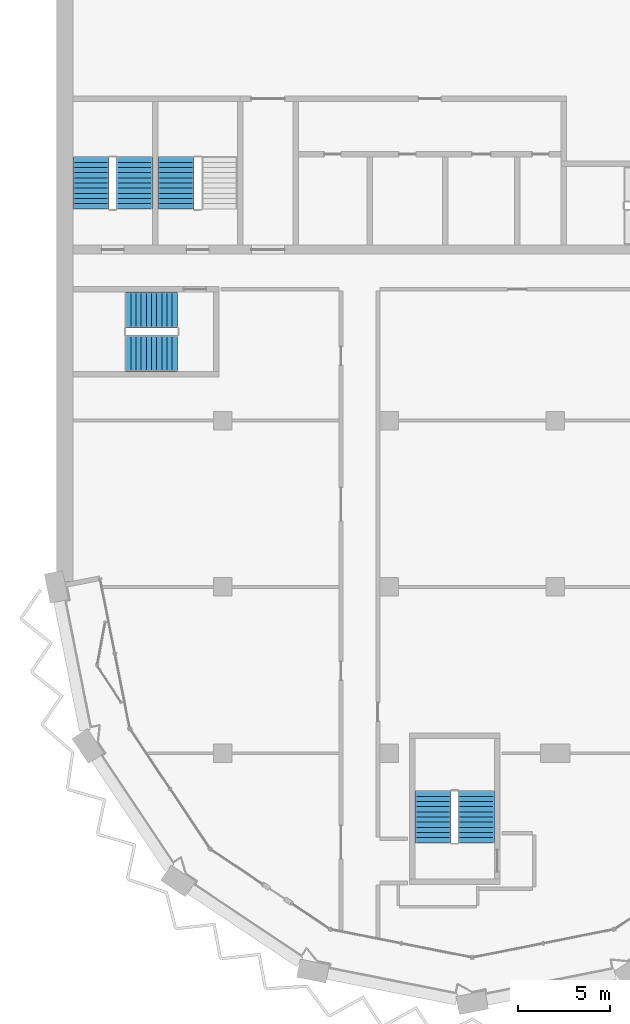
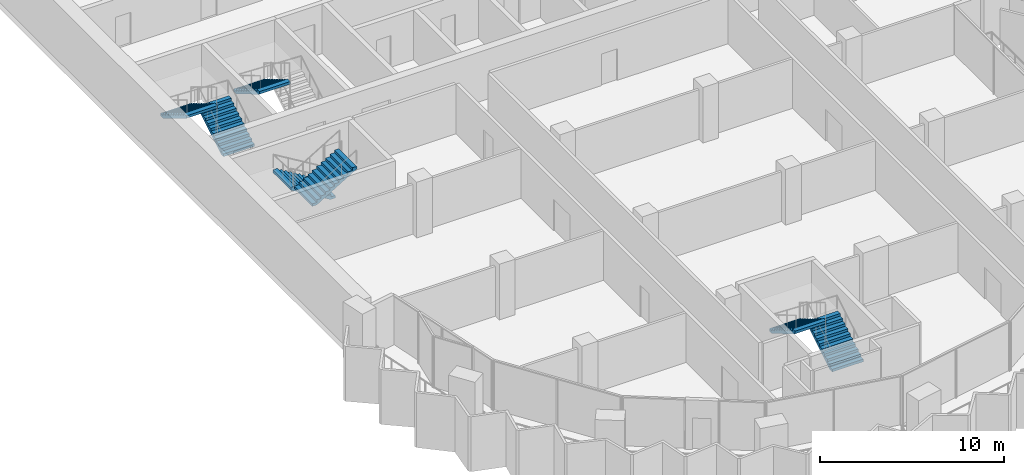
# One storey, part 12 of 17: 7 stair flights, 4 elements without a shape of their own.
"""IFC4 building model written with IfcOpenShell, lengths in metres."""

from ifc_helpers import new_model, si_unit, direction, frame, origin, place, context, subcontext, project, spatial, polyline, outline, extrude, material, type_object, element, aggregate, save


model = new_model("IFC4")

# Units and contexts
model_context = context("Model", 3, precision=1e-05, world=origin(), true_north=direction((0.0, 1.0)))
body_context = subcontext(model_context, "Body", "Model", "MODEL_VIEW")
ifc_project = project(units=[si_unit("LENGTHUNIT", "METRE"), si_unit("AREAUNIT", "SQUARE_METRE"), si_unit("VOLUMEUNIT", "CUBIC_METRE"), si_unit("PLANEANGLEUNIT", "RADIAN"), si_unit("MASSUNIT", "GRAM", prefix="KILO")], contexts=[model_context])

# Site, building, storey
site_placement = place(None, origin())
site = spatial("IfcSite", under=ifc_project, at=site_placement, CompositionType="ELEMENT")
building_placement = place(site_placement, origin())
building = spatial("IfcBuilding", under=site, at=building_placement, Name="Hunhe Ridgeline Campus", CompositionType="ELEMENT")
storey_placement = place(building_placement, frame((0.0, 0.0, 268.800048828125)))
storey = spatial("IfcBuildingStorey", under=building, at=storey_placement, Name="L69", CompositionType="ELEMENT", Elevation=268.800048828125)

# Stair, stair flights
ifc_material = material(Name="Concrete C40", Category="concrete")
stair_type = type_object("IfcStairType", Name="Reinforced concrete dog-leg stair 1950 Concrete C40", PredefinedType="HALF_TURN_STAIR", material=ifc_material)
stair_1_placement = place(storey_placement, origin())
stair_1 = element("IfcStair", 1, at=stair_1_placement, inside=storey, type_object=stair_type, Name="L69 S3", PredefinedType="HALF_TURN_STAIR")
stair_flight_type = type_object("IfcStairFlightType", Name="Reinforced concrete stair flight 1950 Concrete C40", PredefinedType="STRAIGHT", material=ifc_material)
stair_flight_1_placement = place(storey_placement, frame((4.22509765625, 65.449951171875, 0.0), z_axis=(0.0, 0.0, 1.0), x_axis=(0.0, 1.0, 0.0)))
stair_flight_1 = element("IfcStairFlight", 2, at=stair_flight_1_placement, type_object=stair_flight_type, Name="ST3 flight 1", NumberOfRisers=11, NumberOfTreads=10, PredefinedType="STRAIGHT", RiserHeight=0.168181818, TreadLength=0.28, context=body_context, shape_type="SweptSolid", body=[
    extrude(outline(polyline([(0.0, 0.0), (0.0, 0.168212890625), (0.280029296875, 0.168212890625), (0.280029296875, 0.33642578125), (0.56005859375, 0.33642578125), (0.56005859375, 0.504638671875), (0.840087890625, 0.504638671875), (0.840087890625, 0.672607421875), (1.1201171875, 0.672607421875), (1.1201171875, 0.8408203125), (1.39990234375, 0.8408203125), (1.39990234375, 1.009033203125), (1.679931640625, 1.009033203125), (1.679931640625, 1.17724609375), (1.9599609375, 1.17724609375), (1.9599609375, 1.345458984375), (2.239990234375, 1.345458984375), (2.239990234375, 1.513671875), (2.52001953125, 1.513671875), (2.52001953125, 1.681884765625), (2.800048828125, 1.681884765625), (2.800048828125, 1.85009765625), (2.800048828125, 1.5068359375), (0.291015625, 0.0), (0.0, 0.0)])), frame((0.0, 0.97509765625, 0.0), z_axis=(0.0, -1.0, 0.0), x_axis=(1.0, 0.0, 0.0)), (0.0, 0.0, 1.0), 1.949951171875),
    extrude(outline(polyline([(0.030029296875, 0.030029296875), (0.030029296875, 0.13818359375), (0.31005859375, 0.13818359375), (0.31005859375, 0.306396484375), (0.590087890625, 0.306396484375), (0.590087890625, 0.474609375), (0.8701171875, 0.474609375), (0.8701171875, 0.642578125), (1.14990234375, 0.642578125), (1.14990234375, 0.810791015625), (1.429931640625, 0.810791015625), (1.429931640625, 0.97900390625), (1.7099609375, 0.97900390625), (1.7099609375, 1.147216796875), (1.989990234375, 1.147216796875), (1.989990234375, 1.3154296875), (2.27001953125, 1.3154296875), (2.27001953125, 1.483642578125), (2.550048828125, 1.483642578125), (2.550048828125, 1.65185546875), (2.77001953125, 1.65185546875), (2.77001953125, 1.52392578125), (0.28271484375, 0.030029296875), (0.030029296875, 0.030029296875)])), frame((0.0, -0.070068359375, 0.0), z_axis=(0.0, -1.0, 0.0), x_axis=(1.0, 0.0, 0.0)), (0.0, 0.0, 1.0), 0.019775390625),
    extrude(outline(polyline([(0.030029296875, 0.030029296875), (0.030029296875, 0.13818359375), (0.31005859375, 0.13818359375), (0.31005859375, 0.306396484375), (0.590087890625, 0.306396484375), (0.590087890625, 0.474609375), (0.8701171875, 0.474609375), (0.8701171875, 0.642578125), (1.14990234375, 0.642578125), (1.14990234375, 0.810791015625), (1.429931640625, 0.810791015625), (1.429931640625, 0.97900390625), (1.7099609375, 0.97900390625), (1.7099609375, 1.147216796875), (1.989990234375, 1.147216796875), (1.989990234375, 1.3154296875), (2.27001953125, 1.3154296875), (2.27001953125, 1.483642578125), (2.550048828125, 1.483642578125), (2.550048828125, 1.65185546875), (2.77001953125, 1.65185546875), (2.77001953125, 1.52392578125), (0.28271484375, 0.030029296875), (0.030029296875, 0.030029296875)])), frame((0.0, 0.010009765625, 0.0), z_axis=(0.0, -1.0, 0.0), x_axis=(1.0, 0.0, 0.0)), (0.0, 0.0, 1.0), 0.019775390625),
    extrude(outline(polyline([(0.030029296875, 0.030029296875), (0.030029296875, 0.13818359375), (0.31005859375, 0.13818359375), (0.31005859375, 0.306396484375), (0.590087890625, 0.306396484375), (0.590087890625, 0.474609375), (0.8701171875, 0.474609375), (0.8701171875, 0.642578125), (1.14990234375, 0.642578125), (1.14990234375, 0.810791015625), (1.429931640625, 0.810791015625), (1.429931640625, 0.97900390625), (1.7099609375, 0.97900390625), (1.7099609375, 1.147216796875), (1.989990234375, 1.147216796875), (1.989990234375, 1.3154296875), (2.27001953125, 1.3154296875), (2.27001953125, 1.483642578125), (2.550048828125, 1.483642578125), (2.550048828125, 1.65185546875), (2.77001953125, 1.65185546875), (2.77001953125, 1.52392578125), (0.28271484375, 0.030029296875), (0.030029296875, 0.030029296875)])), frame((0.0, 0.090087890625, 0.0), z_axis=(0.0, -1.0, 0.0), x_axis=(1.0, 0.0, 0.0)), (0.0, 0.0, 1.0), 0.019775390625),
])
stair_flight_2_placement = place(storey_placement, frame((1.875, 68.25, 1.849853515625), z_axis=(0.0, 0.0, 1.0), x_axis=(0.0, -1.0, 0.0)))
stair_flight_2 = element("IfcStairFlight", 3, at=stair_flight_2_placement, type_object=stair_flight_type, Name="ST3 flight 2", NumberOfRisers=11, NumberOfTreads=10, PredefinedType="STRAIGHT", RiserHeight=0.168181818, TreadLength=0.28, context=body_context, shape_type="SweptSolid", body=[
    extrude(outline(polyline([(0.0, 0.0), (0.0, 0.168212890625), (0.280029296875, 0.168212890625), (0.280029296875, 0.33642578125), (0.56005859375, 0.33642578125), (0.56005859375, 0.504638671875), (0.840087890625, 0.504638671875), (0.840087890625, 0.672607421875), (1.1201171875, 0.672607421875), (1.1201171875, 0.8408203125), (1.39990234375, 0.8408203125), (1.39990234375, 1.009033203125), (1.679931640625, 1.009033203125), (1.679931640625, 1.17724609375), (1.9599609375, 1.17724609375), (1.9599609375, 1.345458984375), (2.239990234375, 1.345458984375), (2.239990234375, 1.513671875), (2.52001953125, 1.513671875), (2.52001953125, 1.681884765625), (2.800048828125, 1.681884765625), (2.800048828125, 1.85009765625), (2.800048828125, 1.5068359375), (0.291015625, 0.0), (0.0, 0.0)])), frame((0.0, 0.97509765625, 0.0), z_axis=(0.0, -1.0, 0.0), x_axis=(1.0, 0.0, 0.0)), (0.0, 0.0, 1.0), 1.949951171875),
    extrude(outline(polyline([(0.030029296875, 0.030029296875), (0.030029296875, 0.13818359375), (0.31005859375, 0.13818359375), (0.31005859375, 0.306396484375), (0.590087890625, 0.306396484375), (0.590087890625, 0.474609375), (0.8701171875, 0.474609375), (0.8701171875, 0.642578125), (1.14990234375, 0.642578125), (1.14990234375, 0.810791015625), (1.429931640625, 0.810791015625), (1.429931640625, 0.97900390625), (1.7099609375, 0.97900390625), (1.7099609375, 1.147216796875), (1.989990234375, 1.147216796875), (1.989990234375, 1.3154296875), (2.27001953125, 1.3154296875), (2.27001953125, 1.483642578125), (2.550048828125, 1.483642578125), (2.550048828125, 1.65185546875), (2.77001953125, 1.65185546875), (2.77001953125, 1.52392578125), (0.28271484375, 0.030029296875), (0.030029296875, 0.030029296875)])), frame((0.0, -0.070068359375, 0.0), z_axis=(0.0, -1.0, 0.0), x_axis=(1.0, 0.0, 0.0)), (0.0, 0.0, 1.0), 0.019775390625),
    extrude(outline(polyline([(0.030029296875, 0.030029296875), (0.030029296875, 0.13818359375), (0.31005859375, 0.13818359375), (0.31005859375, 0.306396484375), (0.590087890625, 0.306396484375), (0.590087890625, 0.474609375), (0.8701171875, 0.474609375), (0.8701171875, 0.642578125), (1.14990234375, 0.642578125), (1.14990234375, 0.810791015625), (1.429931640625, 0.810791015625), (1.429931640625, 0.97900390625), (1.7099609375, 0.97900390625), (1.7099609375, 1.147216796875), (1.989990234375, 1.147216796875), (1.989990234375, 1.3154296875), (2.27001953125, 1.3154296875), (2.27001953125, 1.483642578125), (2.550048828125, 1.483642578125), (2.550048828125, 1.65185546875), (2.77001953125, 1.65185546875), (2.77001953125, 1.52392578125), (0.28271484375, 0.030029296875), (0.030029296875, 0.030029296875)])), frame((0.0, 0.010009765625, 0.0), z_axis=(0.0, -1.0, 0.0), x_axis=(1.0, 0.0, 0.0)), (0.0, 0.0, 1.0), 0.019775390625),
    extrude(outline(polyline([(0.030029296875, 0.030029296875), (0.030029296875, 0.13818359375), (0.31005859375, 0.13818359375), (0.31005859375, 0.306396484375), (0.590087890625, 0.306396484375), (0.590087890625, 0.474609375), (0.8701171875, 0.474609375), (0.8701171875, 0.642578125), (1.14990234375, 0.642578125), (1.14990234375, 0.810791015625), (1.429931640625, 0.810791015625), (1.429931640625, 0.97900390625), (1.7099609375, 0.97900390625), (1.7099609375, 1.147216796875), (1.989990234375, 1.147216796875), (1.989990234375, 1.3154296875), (2.27001953125, 1.3154296875), (2.27001953125, 1.483642578125), (2.550048828125, 1.483642578125), (2.550048828125, 1.65185546875), (2.77001953125, 1.65185546875), (2.77001953125, 1.52392578125), (0.28271484375, 0.030029296875), (0.030029296875, 0.030029296875)])), frame((0.0, 0.090087890625, 0.0), z_axis=(0.0, -1.0, 0.0), x_axis=(1.0, 0.0, 0.0)), (0.0, 0.0, 1.0), 0.019775390625),
])
aggregate(stair_1, [stair_flight_1, stair_flight_2])

# Stair, stair flight
stair_2_placement = place(storey_placement, origin())
stair_2 = element("IfcStair", 4, at=stair_2_placement, inside=storey, type_object=stair_type, Name="L69 S4", PredefinedType="HALF_TURN_STAIR")
stair_flight_3_placement = place(storey_placement, frame((6.47509765625, 68.25, 1.849853515625), z_axis=(0.0, 0.0, 1.0), x_axis=(0.0, -1.0, 0.0)))
stair_flight_3 = element("IfcStairFlight", 5, at=stair_flight_3_placement, type_object=stair_flight_type, Name="ST4 flight 2", NumberOfRisers=11, NumberOfTreads=10, PredefinedType="STRAIGHT", RiserHeight=0.168181818, TreadLength=0.28, context=body_context, shape_type="SweptSolid", body=[
    extrude(outline(polyline([(0.0, 0.0), (0.0, 0.168212890625), (0.280029296875, 0.168212890625), (0.280029296875, 0.33642578125), (0.56005859375, 0.33642578125), (0.56005859375, 0.504638671875), (0.840087890625, 0.504638671875), (0.840087890625, 0.672607421875), (1.1201171875, 0.672607421875), (1.1201171875, 0.8408203125), (1.39990234375, 0.8408203125), (1.39990234375, 1.009033203125), (1.679931640625, 1.009033203125), (1.679931640625, 1.17724609375), (1.9599609375, 1.17724609375), (1.9599609375, 1.345458984375), (2.239990234375, 1.345458984375), (2.239990234375, 1.513671875), (2.52001953125, 1.513671875), (2.52001953125, 1.681884765625), (2.800048828125, 1.681884765625), (2.800048828125, 1.85009765625), (2.800048828125, 1.5068359375), (0.291015625, 0.0), (0.0, 0.0)])), frame((0.0, 0.97509765625, 0.0), z_axis=(0.0, -1.0, 0.0), x_axis=(1.0, 0.0, 0.0)), (0.0, 0.0, 1.0), 1.949951171875),
    extrude(outline(polyline([(0.030029296875, 0.030029296875), (0.030029296875, 0.13818359375), (0.31005859375, 0.13818359375), (0.31005859375, 0.306396484375), (0.590087890625, 0.306396484375), (0.590087890625, 0.474609375), (0.8701171875, 0.474609375), (0.8701171875, 0.642578125), (1.14990234375, 0.642578125), (1.14990234375, 0.810791015625), (1.429931640625, 0.810791015625), (1.429931640625, 0.97900390625), (1.7099609375, 0.97900390625), (1.7099609375, 1.147216796875), (1.989990234375, 1.147216796875), (1.989990234375, 1.3154296875), (2.27001953125, 1.3154296875), (2.27001953125, 1.483642578125), (2.550048828125, 1.483642578125), (2.550048828125, 1.65185546875), (2.77001953125, 1.65185546875), (2.77001953125, 1.52392578125), (0.28271484375, 0.030029296875), (0.030029296875, 0.030029296875)])), frame((0.0, -0.070068359375, 0.0), z_axis=(0.0, -1.0, 0.0), x_axis=(1.0, 0.0, 0.0)), (0.0, 0.0, 1.0), 0.019775390625),
    extrude(outline(polyline([(0.030029296875, 0.030029296875), (0.030029296875, 0.13818359375), (0.31005859375, 0.13818359375), (0.31005859375, 0.306396484375), (0.590087890625, 0.306396484375), (0.590087890625, 0.474609375), (0.8701171875, 0.474609375), (0.8701171875, 0.642578125), (1.14990234375, 0.642578125), (1.14990234375, 0.810791015625), (1.429931640625, 0.810791015625), (1.429931640625, 0.97900390625), (1.7099609375, 0.97900390625), (1.7099609375, 1.147216796875), (1.989990234375, 1.147216796875), (1.989990234375, 1.3154296875), (2.27001953125, 1.3154296875), (2.27001953125, 1.483642578125), (2.550048828125, 1.483642578125), (2.550048828125, 1.65185546875), (2.77001953125, 1.65185546875), (2.77001953125, 1.52392578125), (0.28271484375, 0.030029296875), (0.030029296875, 0.030029296875)])), frame((0.0, 0.010009765625, 0.0), z_axis=(0.0, -1.0, 0.0), x_axis=(1.0, 0.0, 0.0)), (0.0, 0.0, 1.0), 0.019775390625),
    extrude(outline(polyline([(0.030029296875, 0.030029296875), (0.030029296875, 0.13818359375), (0.31005859375, 0.13818359375), (0.31005859375, 0.306396484375), (0.590087890625, 0.306396484375), (0.590087890625, 0.474609375), (0.8701171875, 0.474609375), (0.8701171875, 0.642578125), (1.14990234375, 0.642578125), (1.14990234375, 0.810791015625), (1.429931640625, 0.810791015625), (1.429931640625, 0.97900390625), (1.7099609375, 0.97900390625), (1.7099609375, 1.147216796875), (1.989990234375, 1.147216796875), (1.989990234375, 1.3154296875), (2.27001953125, 1.3154296875), (2.27001953125, 1.483642578125), (2.550048828125, 1.483642578125), (2.550048828125, 1.65185546875), (2.77001953125, 1.65185546875), (2.77001953125, 1.52392578125), (0.28271484375, 0.030029296875), (0.030029296875, 0.030029296875)])), frame((0.0, 0.090087890625, 0.0), z_axis=(0.0, -1.0, 0.0), x_axis=(1.0, 0.0, 0.0)), (0.0, 0.0, 1.0), 0.019775390625),
])
aggregate(stair_2, [stair_flight_3])

# Stair, stair flights
stair_3_placement = place(storey_placement, origin())
stair_3 = element("IfcStair", 6, at=stair_3_placement, inside=storey, type_object=stair_type, Name="L69 W3", PredefinedType="HALF_TURN_STAIR")
stair_flight_4_placement = place(storey_placement, frame((22.72509765625, 31.14990234375, 0.0), z_axis=(0.0, 0.0, 1.0), x_axis=(0.0, 1.0, 0.0)))
stair_flight_4 = element("IfcStairFlight", 7, at=stair_flight_4_placement, type_object=stair_flight_type, Name="ST9 flight 1", NumberOfRisers=11, NumberOfTreads=10, PredefinedType="STRAIGHT", RiserHeight=0.168181818, TreadLength=0.28, context=body_context, shape_type="SweptSolid", body=[
    extrude(outline(polyline([(0.0, 0.0), (0.0, 0.168212890625), (0.280029296875, 0.168212890625), (0.280029296875, 0.33642578125), (0.56005859375, 0.33642578125), (0.56005859375, 0.504638671875), (0.840087890625, 0.504638671875), (0.840087890625, 0.672607421875), (1.1201171875, 0.672607421875), (1.1201171875, 0.8408203125), (1.39990234375, 0.8408203125), (1.39990234375, 1.009033203125), (1.679931640625, 1.009033203125), (1.679931640625, 1.17724609375), (1.9599609375, 1.17724609375), (1.9599609375, 1.345458984375), (2.239990234375, 1.345458984375), (2.239990234375, 1.513671875), (2.52001953125, 1.513671875), (2.52001953125, 1.681884765625), (2.800048828125, 1.681884765625), (2.800048828125, 1.85009765625), (2.800048828125, 1.5068359375), (0.291015625, 0.0), (0.0, 0.0)])), frame((0.0, 0.97509765625, 0.0), z_axis=(0.0, -1.0, 0.0), x_axis=(1.0, 0.0, 0.0)), (0.0, 0.0, 1.0), 1.949951171875),
    extrude(outline(polyline([(0.030029296875, 0.030029296875), (0.030029296875, 0.13818359375), (0.31005859375, 0.13818359375), (0.31005859375, 0.306396484375), (0.590087890625, 0.306396484375), (0.590087890625, 0.474609375), (0.8701171875, 0.474609375), (0.8701171875, 0.642578125), (1.14990234375, 0.642578125), (1.14990234375, 0.810791015625), (1.429931640625, 0.810791015625), (1.429931640625, 0.97900390625), (1.7099609375, 0.97900390625), (1.7099609375, 1.147216796875), (1.989990234375, 1.147216796875), (1.989990234375, 1.3154296875), (2.27001953125, 1.3154296875), (2.27001953125, 1.483642578125), (2.550048828125, 1.483642578125), (2.550048828125, 1.65185546875), (2.77001953125, 1.65185546875), (2.77001953125, 1.52392578125), (0.28271484375, 0.030029296875), (0.030029296875, 0.030029296875)])), frame((0.0, -0.070068359375, 0.0), z_axis=(0.0, -1.0, 0.0), x_axis=(1.0, 0.0, 0.0)), (0.0, 0.0, 1.0), 0.019775390625),
    extrude(outline(polyline([(0.030029296875, 0.030029296875), (0.030029296875, 0.13818359375), (0.31005859375, 0.13818359375), (0.31005859375, 0.306396484375), (0.590087890625, 0.306396484375), (0.590087890625, 0.474609375), (0.8701171875, 0.474609375), (0.8701171875, 0.642578125), (1.14990234375, 0.642578125), (1.14990234375, 0.810791015625), (1.429931640625, 0.810791015625), (1.429931640625, 0.97900390625), (1.7099609375, 0.97900390625), (1.7099609375, 1.147216796875), (1.989990234375, 1.147216796875), (1.989990234375, 1.3154296875), (2.27001953125, 1.3154296875), (2.27001953125, 1.483642578125), (2.550048828125, 1.483642578125), (2.550048828125, 1.65185546875), (2.77001953125, 1.65185546875), (2.77001953125, 1.52392578125), (0.28271484375, 0.030029296875), (0.030029296875, 0.030029296875)])), frame((0.0, 0.010009765625, 0.0), z_axis=(0.0, -1.0, 0.0), x_axis=(1.0, 0.0, 0.0)), (0.0, 0.0, 1.0), 0.019775390625),
    extrude(outline(polyline([(0.030029296875, 0.030029296875), (0.030029296875, 0.13818359375), (0.31005859375, 0.13818359375), (0.31005859375, 0.306396484375), (0.590087890625, 0.306396484375), (0.590087890625, 0.474609375), (0.8701171875, 0.474609375), (0.8701171875, 0.642578125), (1.14990234375, 0.642578125), (1.14990234375, 0.810791015625), (1.429931640625, 0.810791015625), (1.429931640625, 0.97900390625), (1.7099609375, 0.97900390625), (1.7099609375, 1.147216796875), (1.989990234375, 1.147216796875), (1.989990234375, 1.3154296875), (2.27001953125, 1.3154296875), (2.27001953125, 1.483642578125), (2.550048828125, 1.483642578125), (2.550048828125, 1.65185546875), (2.77001953125, 1.65185546875), (2.77001953125, 1.52392578125), (0.28271484375, 0.030029296875), (0.030029296875, 0.030029296875)])), frame((0.0, 0.090087890625, 0.0), z_axis=(0.0, -1.0, 0.0), x_axis=(1.0, 0.0, 0.0)), (0.0, 0.0, 1.0), 0.019775390625),
])
stair_flight_5_placement = place(storey_placement, frame((20.375, 33.949951171875, 1.849853515625), z_axis=(0.0, 0.0, 1.0), x_axis=(0.0, -1.0, 0.0)))
stair_flight_5 = element("IfcStairFlight", 8, at=stair_flight_5_placement, type_object=stair_flight_type, Name="ST9 flight 2", NumberOfRisers=11, NumberOfTreads=10, PredefinedType="STRAIGHT", RiserHeight=0.168181818, TreadLength=0.28, context=body_context, shape_type="SweptSolid", body=[
    extrude(outline(polyline([(0.0, 0.0), (0.0, 0.168212890625), (0.280029296875, 0.168212890625), (0.280029296875, 0.33642578125), (0.56005859375, 0.33642578125), (0.56005859375, 0.504638671875), (0.840087890625, 0.504638671875), (0.840087890625, 0.672607421875), (1.1201171875, 0.672607421875), (1.1201171875, 0.8408203125), (1.39990234375, 0.8408203125), (1.39990234375, 1.009033203125), (1.679931640625, 1.009033203125), (1.679931640625, 1.17724609375), (1.9599609375, 1.17724609375), (1.9599609375, 1.345458984375), (2.239990234375, 1.345458984375), (2.239990234375, 1.513671875), (2.52001953125, 1.513671875), (2.52001953125, 1.681884765625), (2.800048828125, 1.681884765625), (2.800048828125, 1.85009765625), (2.800048828125, 1.5068359375), (0.291015625, 0.0), (0.0, 0.0)])), frame((0.0, 0.97509765625, 0.0), z_axis=(0.0, -1.0, 0.0), x_axis=(1.0, 0.0, 0.0)), (0.0, 0.0, 1.0), 1.949951171875),
    extrude(outline(polyline([(0.030029296875, 0.030029296875), (0.030029296875, 0.13818359375), (0.31005859375, 0.13818359375), (0.31005859375, 0.306396484375), (0.590087890625, 0.306396484375), (0.590087890625, 0.474609375), (0.8701171875, 0.474609375), (0.8701171875, 0.642578125), (1.14990234375, 0.642578125), (1.14990234375, 0.810791015625), (1.429931640625, 0.810791015625), (1.429931640625, 0.97900390625), (1.7099609375, 0.97900390625), (1.7099609375, 1.147216796875), (1.989990234375, 1.147216796875), (1.989990234375, 1.3154296875), (2.27001953125, 1.3154296875), (2.27001953125, 1.483642578125), (2.550048828125, 1.483642578125), (2.550048828125, 1.65185546875), (2.77001953125, 1.65185546875), (2.77001953125, 1.52392578125), (0.28271484375, 0.030029296875), (0.030029296875, 0.030029296875)])), frame((0.0, -0.070068359375, 0.0), z_axis=(0.0, -1.0, 0.0), x_axis=(1.0, 0.0, 0.0)), (0.0, 0.0, 1.0), 0.019775390625),
    extrude(outline(polyline([(0.030029296875, 0.030029296875), (0.030029296875, 0.13818359375), (0.31005859375, 0.13818359375), (0.31005859375, 0.306396484375), (0.590087890625, 0.306396484375), (0.590087890625, 0.474609375), (0.8701171875, 0.474609375), (0.8701171875, 0.642578125), (1.14990234375, 0.642578125), (1.14990234375, 0.810791015625), (1.429931640625, 0.810791015625), (1.429931640625, 0.97900390625), (1.7099609375, 0.97900390625), (1.7099609375, 1.147216796875), (1.989990234375, 1.147216796875), (1.989990234375, 1.3154296875), (2.27001953125, 1.3154296875), (2.27001953125, 1.483642578125), (2.550048828125, 1.483642578125), (2.550048828125, 1.65185546875), (2.77001953125, 1.65185546875), (2.77001953125, 1.52392578125), (0.28271484375, 0.030029296875), (0.030029296875, 0.030029296875)])), frame((0.0, 0.010009765625, 0.0), z_axis=(0.0, -1.0, 0.0), x_axis=(1.0, 0.0, 0.0)), (0.0, 0.0, 1.0), 0.019775390625),
    extrude(outline(polyline([(0.030029296875, 0.030029296875), (0.030029296875, 0.13818359375), (0.31005859375, 0.13818359375), (0.31005859375, 0.306396484375), (0.590087890625, 0.306396484375), (0.590087890625, 0.474609375), (0.8701171875, 0.474609375), (0.8701171875, 0.642578125), (1.14990234375, 0.642578125), (1.14990234375, 0.810791015625), (1.429931640625, 0.810791015625), (1.429931640625, 0.97900390625), (1.7099609375, 0.97900390625), (1.7099609375, 1.147216796875), (1.989990234375, 1.147216796875), (1.989990234375, 1.3154296875), (2.27001953125, 1.3154296875), (2.27001953125, 1.483642578125), (2.550048828125, 1.483642578125), (2.550048828125, 1.65185546875), (2.77001953125, 1.65185546875), (2.77001953125, 1.52392578125), (0.28271484375, 0.030029296875), (0.030029296875, 0.030029296875)])), frame((0.0, 0.090087890625, 0.0), z_axis=(0.0, -1.0, 0.0), x_axis=(1.0, 0.0, 0.0)), (0.0, 0.0, 1.0), 0.019775390625),
])
aggregate(stair_3, [stair_flight_4, stair_flight_5])

stair_4_placement = place(storey_placement, origin())
stair_4 = element("IfcStair", 9, at=stair_4_placement, inside=storey, type_object=stair_type, Name="L69 W2", PredefinedType="HALF_TURN_STAIR")
stair_flight_6_placement = place(storey_placement, frame((6.550048828125, 59.97509765625, 0.0), z_axis=(0.0, 0.0, 1.0), x_axis=(-1.0, 0.0, 0.0)))
stair_flight_6 = element("IfcStairFlight", 10, at=stair_flight_6_placement, type_object=stair_flight_type, Name="ST12 flight 1", NumberOfRisers=11, NumberOfTreads=10, PredefinedType="STRAIGHT", RiserHeight=0.168181818, TreadLength=0.28, context=body_context, shape_type="SweptSolid", body=[
    extrude(outline(polyline([(0.0, 0.0), (0.0, 0.168212890625), (0.280029296875, 0.168212890625), (0.280029296875, 0.33642578125), (0.56005859375, 0.33642578125), (0.56005859375, 0.504638671875), (0.840087890625, 0.504638671875), (0.840087890625, 0.672607421875), (1.1201171875, 0.672607421875), (1.1201171875, 0.8408203125), (1.39990234375, 0.8408203125), (1.39990234375, 1.009033203125), (1.679931640625, 1.009033203125), (1.679931640625, 1.17724609375), (1.9599609375, 1.17724609375), (1.9599609375, 1.345458984375), (2.239990234375, 1.345458984375), (2.239990234375, 1.513671875), (2.52001953125, 1.513671875), (2.52001953125, 1.681884765625), (2.800048828125, 1.681884765625), (2.800048828125, 1.85009765625), (2.800048828125, 1.5068359375), (0.291015625, 0.0), (0.0, 0.0)])), frame((0.0, 0.97509765625, 0.0), z_axis=(0.0, -1.0, 0.0), x_axis=(1.0, 0.0, 0.0)), (0.0, 0.0, 1.0), 1.949951171875),
    extrude(outline(polyline([(0.030029296875, 0.030029296875), (0.030029296875, 0.13818359375), (0.31005859375, 0.13818359375), (0.31005859375, 0.306396484375), (0.590087890625, 0.306396484375), (0.590087890625, 0.474609375), (0.8701171875, 0.474609375), (0.8701171875, 0.642578125), (1.14990234375, 0.642578125), (1.14990234375, 0.810791015625), (1.429931640625, 0.810791015625), (1.429931640625, 0.97900390625), (1.7099609375, 0.97900390625), (1.7099609375, 1.147216796875), (1.989990234375, 1.147216796875), (1.989990234375, 1.3154296875), (2.27001953125, 1.3154296875), (2.27001953125, 1.483642578125), (2.550048828125, 1.483642578125), (2.550048828125, 1.65185546875), (2.77001953125, 1.65185546875), (2.77001953125, 1.52392578125), (0.28271484375, 0.030029296875), (0.030029296875, 0.030029296875)])), frame((0.0, -0.070068359375, 0.0), z_axis=(0.0, -1.0, 0.0), x_axis=(1.0, 0.0, 0.0)), (0.0, 0.0, 1.0), 0.019775390625),
    extrude(outline(polyline([(0.030029296875, 0.030029296875), (0.030029296875, 0.13818359375), (0.31005859375, 0.13818359375), (0.31005859375, 0.306396484375), (0.590087890625, 0.306396484375), (0.590087890625, 0.474609375), (0.8701171875, 0.474609375), (0.8701171875, 0.642578125), (1.14990234375, 0.642578125), (1.14990234375, 0.810791015625), (1.429931640625, 0.810791015625), (1.429931640625, 0.97900390625), (1.7099609375, 0.97900390625), (1.7099609375, 1.147216796875), (1.989990234375, 1.147216796875), (1.989990234375, 1.3154296875), (2.27001953125, 1.3154296875), (2.27001953125, 1.483642578125), (2.550048828125, 1.483642578125), (2.550048828125, 1.65185546875), (2.77001953125, 1.65185546875), (2.77001953125, 1.52392578125), (0.28271484375, 0.030029296875), (0.030029296875, 0.030029296875)])), frame((0.0, 0.010009765625, 0.0), z_axis=(0.0, -1.0, 0.0), x_axis=(1.0, 0.0, 0.0)), (0.0, 0.0, 1.0), 0.019775390625),
    extrude(outline(polyline([(0.030029296875, 0.030029296875), (0.030029296875, 0.13818359375), (0.31005859375, 0.13818359375), (0.31005859375, 0.306396484375), (0.590087890625, 0.306396484375), (0.590087890625, 0.474609375), (0.8701171875, 0.474609375), (0.8701171875, 0.642578125), (1.14990234375, 0.642578125), (1.14990234375, 0.810791015625), (1.429931640625, 0.810791015625), (1.429931640625, 0.97900390625), (1.7099609375, 0.97900390625), (1.7099609375, 1.147216796875), (1.989990234375, 1.147216796875), (1.989990234375, 1.3154296875), (2.27001953125, 1.3154296875), (2.27001953125, 1.483642578125), (2.550048828125, 1.483642578125), (2.550048828125, 1.65185546875), (2.77001953125, 1.65185546875), (2.77001953125, 1.52392578125), (0.28271484375, 0.030029296875), (0.030029296875, 0.030029296875)])), frame((0.0, 0.090087890625, 0.0), z_axis=(0.0, -1.0, 0.0), x_axis=(1.0, 0.0, 0.0)), (0.0, 0.0, 1.0), 0.019775390625),
])
stair_flight_7_placement = place(storey_placement, frame((3.75, 57.625, 1.849853515625), z_axis=(0.0, 0.0, 1.0), x_axis=(1.0, 0.0, 0.0)))
stair_flight_7 = element("IfcStairFlight", 11, at=stair_flight_7_placement, type_object=stair_flight_type, Name="ST12 flight 2", NumberOfRisers=11, NumberOfTreads=10, PredefinedType="STRAIGHT", RiserHeight=0.168181818, TreadLength=0.28, context=body_context, shape_type="SweptSolid", body=[
    extrude(outline(polyline([(0.0, 0.0), (0.0, 0.168212890625), (0.280029296875, 0.168212890625), (0.280029296875, 0.33642578125), (0.56005859375, 0.33642578125), (0.56005859375, 0.504638671875), (0.840087890625, 0.504638671875), (0.840087890625, 0.672607421875), (1.1201171875, 0.672607421875), (1.1201171875, 0.8408203125), (1.39990234375, 0.8408203125), (1.39990234375, 1.009033203125), (1.679931640625, 1.009033203125), (1.679931640625, 1.17724609375), (1.9599609375, 1.17724609375), (1.9599609375, 1.345458984375), (2.239990234375, 1.345458984375), (2.239990234375, 1.513671875), (2.52001953125, 1.513671875), (2.52001953125, 1.681884765625), (2.800048828125, 1.681884765625), (2.800048828125, 1.85009765625), (2.800048828125, 1.5068359375), (0.291015625, 0.0), (0.0, 0.0)])), frame((0.0, 0.97509765625, 0.0), z_axis=(0.0, -1.0, 0.0), x_axis=(1.0, 0.0, 0.0)), (0.0, 0.0, 1.0), 1.949951171875),
    extrude(outline(polyline([(0.030029296875, 0.030029296875), (0.030029296875, 0.13818359375), (0.31005859375, 0.13818359375), (0.31005859375, 0.306396484375), (0.590087890625, 0.306396484375), (0.590087890625, 0.474609375), (0.8701171875, 0.474609375), (0.8701171875, 0.642578125), (1.14990234375, 0.642578125), (1.14990234375, 0.810791015625), (1.429931640625, 0.810791015625), (1.429931640625, 0.97900390625), (1.7099609375, 0.97900390625), (1.7099609375, 1.147216796875), (1.989990234375, 1.147216796875), (1.989990234375, 1.3154296875), (2.27001953125, 1.3154296875), (2.27001953125, 1.483642578125), (2.550048828125, 1.483642578125), (2.550048828125, 1.65185546875), (2.77001953125, 1.65185546875), (2.77001953125, 1.52392578125), (0.28271484375, 0.030029296875), (0.030029296875, 0.030029296875)])), frame((0.0, -0.070068359375, 0.0), z_axis=(0.0, -1.0, 0.0), x_axis=(1.0, 0.0, 0.0)), (0.0, 0.0, 1.0), 0.019775390625),
    extrude(outline(polyline([(0.030029296875, 0.030029296875), (0.030029296875, 0.13818359375), (0.31005859375, 0.13818359375), (0.31005859375, 0.306396484375), (0.590087890625, 0.306396484375), (0.590087890625, 0.474609375), (0.8701171875, 0.474609375), (0.8701171875, 0.642578125), (1.14990234375, 0.642578125), (1.14990234375, 0.810791015625), (1.429931640625, 0.810791015625), (1.429931640625, 0.97900390625), (1.7099609375, 0.97900390625), (1.7099609375, 1.147216796875), (1.989990234375, 1.147216796875), (1.989990234375, 1.3154296875), (2.27001953125, 1.3154296875), (2.27001953125, 1.483642578125), (2.550048828125, 1.483642578125), (2.550048828125, 1.65185546875), (2.77001953125, 1.65185546875), (2.77001953125, 1.52392578125), (0.28271484375, 0.030029296875), (0.030029296875, 0.030029296875)])), frame((0.0, 0.010009765625, 0.0), z_axis=(0.0, -1.0, 0.0), x_axis=(1.0, 0.0, 0.0)), (0.0, 0.0, 1.0), 0.019775390625),
    extrude(outline(polyline([(0.030029296875, 0.030029296875), (0.030029296875, 0.13818359375), (0.31005859375, 0.13818359375), (0.31005859375, 0.306396484375), (0.590087890625, 0.306396484375), (0.590087890625, 0.474609375), (0.8701171875, 0.474609375), (0.8701171875, 0.642578125), (1.14990234375, 0.642578125), (1.14990234375, 0.810791015625), (1.429931640625, 0.810791015625), (1.429931640625, 0.97900390625), (1.7099609375, 0.97900390625), (1.7099609375, 1.147216796875), (1.989990234375, 1.147216796875), (1.989990234375, 1.3154296875), (2.27001953125, 1.3154296875), (2.27001953125, 1.483642578125), (2.550048828125, 1.483642578125), (2.550048828125, 1.65185546875), (2.77001953125, 1.65185546875), (2.77001953125, 1.52392578125), (0.28271484375, 0.030029296875), (0.030029296875, 0.030029296875)])), frame((0.0, 0.090087890625, 0.0), z_axis=(0.0, -1.0, 0.0), x_axis=(1.0, 0.0, 0.0)), (0.0, 0.0, 1.0), 0.019775390625),
])
aggregate(stair_4, [stair_flight_6, stair_flight_7])

save(model, "model.ifc")
